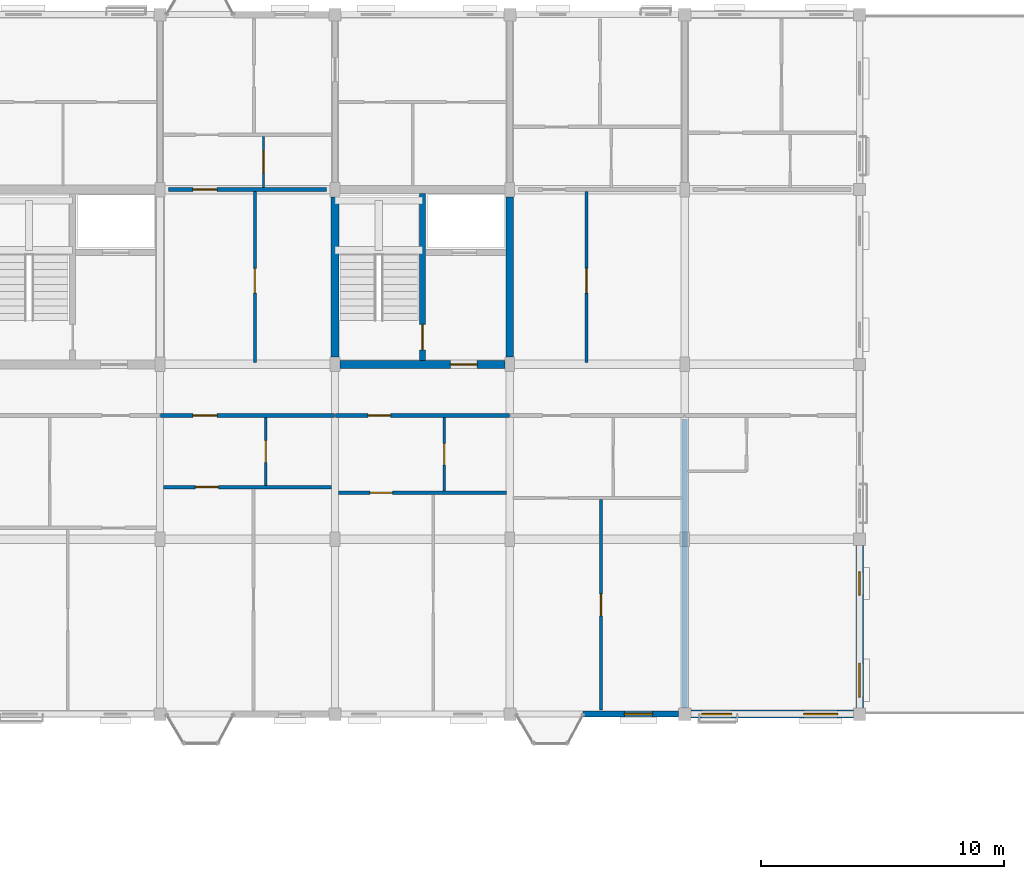
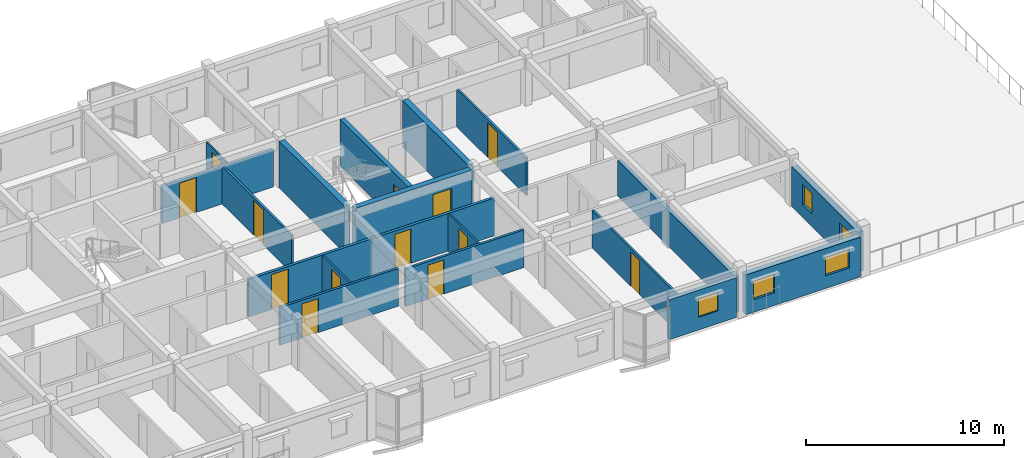
# One storey, part 54 of 64: 19 walls, 13 doors, 5 windows, 18 openings.
"""IFC4 building model written with IfcOpenShell, lengths in metres."""

from ifc_helpers import new_model, si_unit, direction, frame, frame_2d, origin, place, context, subcontext, project, spatial, rectangle, extrude, material, layer, layer_set, type_object, element, fill, save


model = new_model("IFC4")

# Units and contexts
model_context = context("Model", 3, precision=1e-05, world=origin(), true_north=direction((0.0, 1.0)))
body_context = subcontext(model_context, "Body", "Model", "MODEL_VIEW")
ifc_project = project(units=[si_unit("LENGTHUNIT", "METRE"), si_unit("AREAUNIT", "SQUARE_METRE"), si_unit("VOLUMEUNIT", "CUBIC_METRE"), si_unit("PLANEANGLEUNIT", "RADIAN"), si_unit("MASSUNIT", "GRAM", prefix="KILO"), si_unit("THERMODYNAMICTEMPERATUREUNIT", "KELVIN"), si_unit("POWERUNIT", "WATT")], contexts=[model_context])

# Site, building, storey
site_placement = place(None, origin())
site = spatial("IfcSite", under=ifc_project, at=site_placement, CompositionType="ELEMENT")
building_placement = place(site_placement, origin())
building = spatial("IfcBuilding", under=site, at=building_placement, Name="Tavuni Mirador Residences", CompositionType="ELEMENT")
storey_placement = place(building_placement, frame((0.0, 0.0, 26.550048828125)))
storey = spatial("IfcBuildingStorey", under=building, at=storey_placement, Name="L08", CompositionType="ELEMENT", Elevation=26.550048828125)

# Wall, opening, door
ifc_material_1 = material(Name="Precast concrete C40/50", Category="concrete")
ifc_layer_1 = layer(ifc_material_1, 0.25, Name="Precast concrete C40/50", Category="concrete")
ifc_layer_set_1 = layer_set([ifc_layer_1], Name="Precast concrete C40/50")
wall_type_1 = type_object("IfcWallType", Name="WT-COR250", PredefinedType="SHEAR", material=ifc_layer_set_1)
wall_1_placement = place(storey_placement, frame((43.199951171875, 158.56005859375, 0.0), z_axis=(0.0, 0.0, 1.0), x_axis=(0.0, 1.0, 0.0)))
wall_1 = element("IfcWall", 1, at=wall_1_placement, inside=storey, type_object=wall_type_1, Name="CWALL-C6-L08-MID", PredefinedType="SHEAR", context=body_context, shape_type="SweptSolid", body=[
    extrude(rectangle(XDim=6.8798828125, YDim=0.25, at=frame_2d((3.43994140625, 0.0))), origin(), (0.0, 0.0, 1.0), 2.885009765625),
])
opening_1_placement = place(wall_1_placement, frame((0.43994140625, 0.0, 0.0)))
opening_1 = element("IfcOpeningElement", 2, at=opening_1_placement, cuts=wall_1, Name="Opening D-01", PredefinedType="OPENING", context=body_context, shape_type="SweptSolid", body=[
    extrude(rectangle(XDim=1.050048828125, YDim=2.14990234375, at=frame_2d((0.52490234375, 1.074951171875))), frame((0.0, 0.135009765625, 0.0), z_axis=(0.0, -1.0, 0.0), x_axis=(1.0, 0.0, 0.0)), (0.0, 0.0, 1.0), 0.27001953125),
])
ifc_material_2 = material(Name="Solid core iroko timber", Category="wood")
door_type_1 = type_object("IfcDoorType", Name="DT-ST1050", OperationType="NOTDEFINED", PredefinedType="DOOR", material=ifc_material_2)
door_1_placement = place(opening_1_placement, origin())
door_1 = element("IfcDoor", 3, at=door_1_placement, inside=storey, type_object=door_type_1, Name="DR-2244", OperationType="SINGLE_SWING_RIGHT", OverallHeight=2.14990234375, OverallWidth=1.050048828125, PredefinedType="DOOR", context=body_context, shape_type="SweptSolid", body=[
    extrude(rectangle(XDim=1.050048828125, YDim=2.14990234375, at=frame_2d((0.52490234375, 1.074951171875))), frame((0.0, 0.02490234375, 0.0), z_axis=(0.0, -1.0, 0.0), x_axis=(1.0, 0.0, 0.0)), (0.0, 0.0, 1.0), 0.050048828125),
])
fill(opening_1, door_1)

# Walls
ifc_layer_2 = layer(ifc_material_1, 0.320068359375, Name="Precast concrete C40/50", Category="concrete")
ifc_layer_set_2 = layer_set([ifc_layer_2], Name="Precast concrete C40/50")
wall_type_2 = type_object("IfcWallType", Name="WT-COR320", PredefinedType="SHEAR", material=ifc_layer_set_2)
for number, where, z_axis, x_axis, name in (
    (4, (39.60009765625, 158.699951171875, 0.0), (0.0, 0.0, 1.0), (0.0, 1.0, 0.0), "CWALL-C6-L08-W"),
    (5, (46.800048828125, 158.699951171875, 0.0), (0.0, 0.0, 1.0), (0.0, 1.0, 0.0), "CWALL-C6-L08-E"),
):
    element("IfcWall", number, at=place(storey_placement, frame(where, z_axis=z_axis, x_axis=x_axis)), inside=storey, type_object=wall_type_2, Name=name, PredefinedType="SHEAR", context=body_context, shape_type="SweptSolid", body=[
        extrude(rectangle(XDim=6.60009765625, YDim=0.320068359375, at=frame_2d((3.300048828125, 0.0))), origin(), (0.0, 0.0, 1.0), 2.885009765625),
    ])

# Wall, opening, door
wall_2_placement = place(storey_placement, frame((39.800048828125, 158.39990234375, 0.0), z_axis=(0.0, 0.0, 1.0), x_axis=(1.0, 0.0, 0.0)))
wall_2 = element("IfcWall", 6, at=wall_2_placement, inside=storey, type_object=wall_type_2, Name="CWALL-C6-L08-SS", PredefinedType="SHEAR", context=body_context, shape_type="SweptSolid", body=[
    extrude(rectangle(XDim=6.800048828125, YDim=0.320068359375, at=frame_2d((3.39990234375, 0.0))), origin(), (0.0, 0.0, 1.0), 2.885009765625),
])
opening_2_placement = place(wall_2_placement, frame((4.550048828125, 0.0, 0.0)))
opening_2 = element("IfcOpeningElement", 7, at=opening_2_placement, cuts=wall_2, Name="Opening D-02", PredefinedType="OPENING", context=body_context, shape_type="SweptSolid", body=[
    extrude(rectangle(XDim=1.10009765625, YDim=2.14990234375, at=frame_2d((0.550048828125, 1.074951171875))), frame((0.0, 0.169921875, 0.0), z_axis=(0.0, -1.0, 0.0), x_axis=(1.0, 0.0, 0.0)), (0.0, 0.0, 1.0), 0.340087890625),
])
door_type_2 = type_object("IfcDoorType", Name="DT-LOB1100", OperationType="NOTDEFINED", PredefinedType="DOOR", material=ifc_material_2)
door_2_placement = place(opening_2_placement, frame((1.10009765625, 0.0, 0.0), z_axis=(0.0, 0.0, 1.0), x_axis=(-1.0, 0.0, 0.0)))
door_2 = element("IfcDoor", 8, at=door_2_placement, inside=storey, type_object=door_type_2, Name="DR-2243", OperationType="SINGLE_SWING_LEFT", OverallHeight=2.14990234375, OverallWidth=1.10009765625, PredefinedType="DOOR", context=body_context, shape_type="SweptSolid", body=[
    extrude(rectangle(XDim=1.10009765625, YDim=2.14990234375, at=frame_2d((0.550048828125, 1.074951171875))), frame((0.0, 0.02490234375, 0.0), z_axis=(0.0, -1.0, 0.0), x_axis=(1.0, 0.0, 0.0)), (0.0, 0.0, 1.0), 0.050048828125),
])
fill(opening_2, door_2)

ifc_layer_3 = layer(ifc_material_1, 0.1650390625, Name="Precast concrete C40/50", Category="concrete")
ifc_layer_set_3 = layer_set([ifc_layer_3], Name="Precast concrete C40/50")
wall_type_3 = type_object("IfcWallType", Name="WT-CORR165", PredefinedType="PARTITIONING", material=ifc_layer_set_3)
wall_3_placement = place(storey_placement, frame((32.419921875, 156.300048828125, 0.0), z_axis=(0.0, 0.0, 1.0), x_axis=(1.0, 0.0, 0.0)))
wall_3 = element("IfcWall", 9, at=wall_3_placement, inside=storey, type_object=wall_type_3, Name="CORW-BLK-C-L08-0-03", PredefinedType="PARTITIONING", context=body_context, shape_type="SweptSolid", body=[
    extrude(rectangle(XDim=7.16015625, YDim=0.1650390625, at=frame_2d((3.580078125, 0.0))), origin(), (0.0, 0.0, 1.0), 2.320068359375),
])
opening_3_placement = place(wall_3_placement, frame((1.330078125, 0.0, 0.0)))
opening_3 = element("IfcOpeningElement", 10, at=opening_3_placement, cuts=wall_3, Name="Opening D-03", PredefinedType="OPENING", context=body_context, shape_type="SweptSolid", body=[
    extrude(rectangle(XDim=1.0, YDim=2.14990234375, at=frame_2d((0.5, 1.074951171875))), frame((0.0, 0.092529296875, 0.0), z_axis=(0.0, -1.0, 0.0), x_axis=(1.0, 0.0, 0.0)), (0.0, 0.0, 1.0), 0.18505859375),
])
door_type_3 = type_object("IfcDoorType", Name="DT-FD60-1000", OperationType="NOTDEFINED", PredefinedType="DOOR", material=ifc_material_2)
door_3_placement = place(opening_3_placement, origin())
door_3 = element("IfcDoor", 11, at=door_3_placement, inside=storey, type_object=door_type_3, Name="DR-2742", OperationType="SINGLE_SWING_LEFT", OverallHeight=2.14990234375, OverallWidth=1.0, PredefinedType="DOOR", context=body_context, shape_type="SweptSolid", body=[
    extrude(rectangle(XDim=1.0, YDim=2.14990234375, at=frame_2d((0.5, 1.074951171875))), frame((0.0, 0.02490234375, 0.0), z_axis=(0.0, -1.0, 0.0), x_axis=(1.0, 0.0, 0.0)), (0.0, 0.0, 1.0), 0.050048828125),
])
fill(opening_3, door_3)

wall_4_placement = place(storey_placement, frame((39.6201171875, 156.300048828125, 0.0), z_axis=(0.0, 0.0, 1.0), x_axis=(1.0, 0.0, 0.0)))
wall_4 = element("IfcWall", 12, at=wall_4_placement, inside=storey, type_object=wall_type_3, Name="CORW-BLK-C-L08-0-04", PredefinedType="PARTITIONING", context=body_context, shape_type="SweptSolid", body=[
    extrude(rectangle(XDim=7.159912109375, YDim=0.1650390625, at=frame_2d((3.580078125, 0.0))), origin(), (0.0, 0.0, 1.0), 2.320068359375),
])
opening_4_placement = place(wall_4_placement, frame((1.330078125, 0.0, 0.0)))
opening_4 = element("IfcOpeningElement", 13, at=opening_4_placement, cuts=wall_4, Name="Opening D-19", PredefinedType="OPENING", context=body_context, shape_type="SweptSolid", body=[
    extrude(rectangle(XDim=0.93994140625, YDim=2.1201171875, at=frame_2d((0.469970703125, 1.06005859375))), frame((0.0, 0.092529296875, 0.0), z_axis=(0.0, -1.0, 0.0), x_axis=(1.0, 0.0, 0.0)), (0.0, 0.0, 1.0), 0.18505859375),
])
door_type_4 = type_object("IfcDoorType", Name="DT-FD60-940", OperationType="NOTDEFINED", PredefinedType="DOOR", material=ifc_material_2)
door_4_placement = place(opening_4_placement, origin())
door_4 = element("IfcDoor", 14, at=door_4_placement, inside=storey, type_object=door_type_4, Name="DR-2743", OperationType="SINGLE_SWING_RIGHT", OverallHeight=2.1201171875, OverallWidth=0.93994140625, PredefinedType="DOOR", context=body_context, shape_type="SweptSolid", body=[
    extrude(rectangle(XDim=0.93994140625, YDim=2.1201171875, at=frame_2d((0.469970703125, 1.06005859375))), frame((0.0, 0.02490234375, 0.0), z_axis=(0.0, -1.0, 0.0), x_axis=(1.0, 0.0, 0.0)), (0.0, 0.0, 1.0), 0.050048828125),
])
fill(opening_4, door_4)

wall_5_placement = place(storey_placement, frame((32.75, 165.60009765625, 0.0), z_axis=(0.0, 0.0, 1.0), x_axis=(1.0, 0.0, 0.0)))
wall_5 = element("IfcWall", 15, at=wall_5_placement, inside=storey, type_object=wall_type_3, Name="CORW-BLK-C-L08-1-03", PredefinedType="PARTITIONING", context=body_context, shape_type="SweptSolid", body=[
    extrude(rectangle(XDim=6.5, YDim=0.1650390625, at=frame_2d((3.25, 0.0))), origin(), (0.0, 0.0, 1.0), 2.320068359375),
])
opening_5_placement = place(wall_5_placement, frame((1.0, 0.0, 0.0)))
opening_5 = element("IfcOpeningElement", 16, at=opening_5_placement, cuts=wall_5, Name="Opening D-03", PredefinedType="OPENING", context=body_context, shape_type="SweptSolid", body=[
    extrude(rectangle(XDim=1.0, YDim=2.14990234375, at=frame_2d((0.5, 1.074951171875))), frame((0.0, 0.092529296875, 0.0), z_axis=(0.0, -1.0, 0.0), x_axis=(1.0, 0.0, 0.0)), (0.0, 0.0, 1.0), 0.18505859375),
])
door_5_placement = place(opening_5_placement, origin())
door_5 = element("IfcDoor", 17, at=door_5_placement, inside=storey, type_object=door_type_3, Name="DR-2748", OperationType="SINGLE_SWING_LEFT", OverallHeight=2.14990234375, OverallWidth=1.0, PredefinedType="DOOR", context=body_context, shape_type="SweptSolid", body=[
    extrude(rectangle(XDim=1.0, YDim=2.14990234375, at=frame_2d((0.5, 1.074951171875))), frame((0.0, 0.02490234375, 0.0), z_axis=(0.0, -1.0, 0.0), x_axis=(1.0, 0.0, 0.0)), (0.0, 0.0, 1.0), 0.050048828125),
])
fill(opening_5, door_5)

# Wall, openings, windows
ifc_layer_4 = layer(ifc_material_1, 0.330078125, Name="Precast concrete C40/50", Category="concrete")
ifc_layer_set_4 = layer_set([ifc_layer_4], Name="Precast concrete C40/50")
wall_type_4 = type_object("IfcWallType", Name="WT-EXT-COR330", PredefinedType="SOLIDWALL", material=ifc_layer_set_4)
wall_6_placement = place(storey_placement, frame((54.25, 144.0, 0.0), z_axis=(0.0, 0.0, 1.0), x_axis=(1.0, 0.0, 0.0)))
wall_6 = element("IfcWall", 18, at=wall_6_placement, inside=storey, type_object=wall_type_4, Name="EW-BLK-C-L08-S06", PredefinedType="SOLIDWALL", context=body_context, shape_type="SweptSolid", body=[
    extrude(rectangle(XDim=6.699951171875, YDim=0.330078125, at=frame_2d((3.35009765625, 0.0))), origin(), (0.0, 0.0, 1.0), 2.454833984375),
])
opening_6_placement = place(wall_6_placement, frame((0.449951171875, 0.0, 0.780029296875)))
opening_6 = element("IfcOpeningElement", 19, at=opening_6_placement, cuts=wall_6, Name="Opening WN-06", PredefinedType="OPENING", context=body_context, shape_type="SweptSolid", body=[
    extrude(rectangle(XDim=1.239990234375, YDim=1.14990234375, at=frame_2d((0.6201171875, 0.574951171875))), frame((0.0, 0.175048828125, 0.0), z_axis=(0.0, -1.0, 0.0), x_axis=(1.0, 0.0, 0.0)), (0.0, 0.0, 1.0), 0.35009765625),
])
opening_7_placement = place(wall_6_placement, frame((4.64990234375, 0.0, 0.780029296875)))
opening_7 = element("IfcOpeningElement", 20, at=opening_7_placement, cuts=wall_6, Name="Opening WN-08", PredefinedType="OPENING", context=body_context, shape_type="SweptSolid", body=[
    extrude(rectangle(XDim=1.39990234375, YDim=1.14990234375, at=frame_2d((0.699951171875, 0.574951171875))), frame((0.0, 0.175048828125, 0.0), z_axis=(0.0, -1.0, 0.0), x_axis=(1.0, 0.0, 0.0)), (0.0, 0.0, 1.0), 0.35009765625),
])
ifc_material_3 = material(Name="Laminated solar-control glass", Category="glass")
window_type_1 = type_object("IfcWindowType", Name="WNT-06", PartitioningType="SINGLE_PANEL", PredefinedType="WINDOW", material=ifc_material_3)
window_1_placement = place(opening_6_placement, origin())
window_1 = element("IfcWindow", 21, at=window_1_placement, inside=storey, type_object=window_type_1, Name="WIN-1197", OverallHeight=1.14990234375, OverallWidth=1.239990234375, PartitioningType="SINGLE_PANEL", PredefinedType="WINDOW", context=body_context, shape_type="SweptSolid", body=[
    extrude(rectangle(XDim=1.239990234375, YDim=1.14990234375, at=frame_2d((0.6201171875, 0.574951171875))), frame((0.0, 0.030029296875, 0.0), z_axis=(0.0, -1.0, 0.0), x_axis=(1.0, 0.0, 0.0)), (0.0, 0.0, 1.0), 0.06005859375),
])
fill(opening_6, window_1)
window_type_2 = type_object("IfcWindowType", Name="WNT-08", PartitioningType="SINGLE_PANEL", PredefinedType="WINDOW", material=ifc_material_3)
window_2_placement = place(opening_7_placement, origin())
window_2 = element("IfcWindow", 22, at=window_2_placement, inside=storey, type_object=window_type_2, Name="WIN-1198", OverallHeight=1.14990234375, OverallWidth=1.39990234375, PartitioningType="SINGLE_PANEL", PredefinedType="WINDOW", context=body_context, shape_type="SweptSolid", body=[
    extrude(rectangle(XDim=1.39990234375, YDim=1.14990234375, at=frame_2d((0.699951171875, 0.574951171875))), frame((0.0, 0.030029296875, 0.0), z_axis=(0.0, -1.0, 0.0), x_axis=(1.0, 0.0, 0.0)), (0.0, 0.0, 1.0), 0.06005859375),
])
fill(opening_7, window_2)

# Wall, opening, window
ifc_material_4 = material(Name="Sgraffito lime-rendered precast concrete C40/50", Category="concrete")
ifc_layer_5 = layer(ifc_material_4, 0.2451171875, Name="Sgraffito lime-rendered precast concrete C40/50", Category="concrete")
ifc_layer_set_5 = layer_set([ifc_layer_5], Name="Sgraffito lime-rendered precast concrete C40/50")
wall_type_5 = type_object("IfcWallType", Name="WT-EXT-PC245", PredefinedType="SOLIDWALL", material=ifc_layer_set_5)
wall_7_placement = place(storey_placement, frame((49.820068359375, 144.0, 0.0), z_axis=(0.0, 0.0, 1.0), x_axis=(1.0, 0.0, 0.0)))
wall_7 = element("IfcWall", 23, at=wall_7_placement, inside=storey, type_object=wall_type_5, Name="EW-BLK-C-L08-S05", PredefinedType="SOLIDWALL", context=body_context, shape_type="SweptSolid", body=[
    extrude(rectangle(XDim=3.929931640625, YDim=0.2451171875, at=frame_2d((1.96484375, 0.0))), origin(), (0.0, 0.0, 1.0), 2.454833984375),
])
opening_8_placement = place(wall_7_placement, frame((1.695068359375, 0.0, 0.780029296875)))
opening_8 = element("IfcOpeningElement", 24, at=opening_8_placement, cuts=wall_7, Name="Opening WN-05", PredefinedType="OPENING", context=body_context, shape_type="SweptSolid", body=[
    extrude(rectangle(XDim=1.159912109375, YDim=1.14990234375, at=frame_2d((0.580078125, 0.574951171875))), frame((0.0, 0.132568359375, 0.0), z_axis=(0.0, -1.0, 0.0), x_axis=(1.0, 0.0, 0.0)), (0.0, 0.0, 1.0), 0.26513671875),
])
window_type_3 = type_object("IfcWindowType", Name="WNT-05", PartitioningType="SINGLE_PANEL", PredefinedType="WINDOW", material=ifc_material_3)
window_3_placement = place(opening_8_placement, origin())
window_3 = element("IfcWindow", 25, at=window_3_placement, inside=storey, type_object=window_type_3, Name="WIN-1196", OverallHeight=1.14990234375, OverallWidth=1.159912109375, PartitioningType="SINGLE_PANEL", PredefinedType="WINDOW", context=body_context, shape_type="SweptSolid", body=[
    extrude(rectangle(XDim=1.159912109375, YDim=1.14990234375, at=frame_2d((0.580078125, 0.574951171875))), frame((0.0, 0.030029296875, 0.0), z_axis=(0.0, -1.0, 0.0), x_axis=(1.0, 0.0, 0.0)), (0.0, 0.0, 1.0), 0.06005859375),
])
fill(opening_8, window_3)

# Wall, openings, windows
ifc_layer_6 = layer(ifc_material_4, 0.31494140625, Name="Sgraffito lime-rendered precast concrete C40/50", Category="concrete")
ifc_layer_set_6 = layer_set([ifc_layer_6], Name="Sgraffito lime-rendered precast concrete C40/50")
wall_type_6 = type_object("IfcWallType", Name="WT-EXT-PC315", PredefinedType="SOLIDWALL", material=ifc_layer_set_6)
wall_8_placement = place(storey_placement, frame((61.199951171875, 144.25, 0.0), z_axis=(0.0, 0.0, 1.0), x_axis=(0.0, 1.0, 0.0)))
wall_8 = element("IfcWall", 26, at=wall_8_placement, inside=storey, type_object=wall_type_6, Name="EW-BLK-C-L08-E00", PredefinedType="SOLIDWALL", context=body_context, shape_type="SweptSolid", body=[
    extrude(rectangle(XDim=6.699951171875, YDim=0.31494140625, at=frame_2d((3.35009765625, 0.0))), origin(), (0.0, 0.0, 1.0), 2.454833984375),
])
opening_9_placement = place(wall_8_placement, frame((0.449951171875, 0.0, 0.780029296875)))
opening_9 = element("IfcOpeningElement", 27, at=opening_9_placement, cuts=wall_8, Name="Opening WN-08", PredefinedType="OPENING", context=body_context, shape_type="SweptSolid", body=[
    extrude(rectangle(XDim=1.39990234375, YDim=1.14990234375, at=frame_2d((0.699951171875, 0.574951171875))), frame((0.0, 0.16748046875, 0.0), z_axis=(0.0, -1.0, 0.0), x_axis=(1.0, 0.0, 0.0)), (0.0, 0.0, 1.0), 0.3349609375),
])
opening_10_placement = place(wall_8_placement, frame((4.64990234375, 0.0, 0.780029296875)))
opening_10 = element("IfcOpeningElement", 28, at=opening_10_placement, cuts=wall_8, Name="Opening WN-10", PredefinedType="OPENING", context=body_context, shape_type="SweptSolid", body=[
    extrude(rectangle(XDim=0.9599609375, YDim=1.260009765625, at=frame_2d((0.47998046875, 0.6298828125))), frame((0.0, 0.16748046875, 0.0), z_axis=(0.0, -1.0, 0.0), x_axis=(1.0, 0.0, 0.0)), (0.0, 0.0, 1.0), 0.3349609375),
])
window_4_placement = place(opening_9_placement, origin())
window_4 = element("IfcWindow", 29, at=window_4_placement, inside=storey, type_object=window_type_2, Name="WIN-1199", OverallHeight=1.14990234375, OverallWidth=1.39990234375, PartitioningType="SINGLE_PANEL", PredefinedType="WINDOW", context=body_context, shape_type="SweptSolid", body=[
    extrude(rectangle(XDim=1.39990234375, YDim=1.14990234375, at=frame_2d((0.699951171875, 0.574951171875))), frame((0.0, 0.030029296875, 0.0), z_axis=(0.0, -1.0, 0.0), x_axis=(1.0, 0.0, 0.0)), (0.0, 0.0, 1.0), 0.06005859375),
])
fill(opening_9, window_4)
window_type_4 = type_object("IfcWindowType", Name="WNT-10", PartitioningType="SINGLE_PANEL", PredefinedType="WINDOW", material=ifc_material_3)
window_5_placement = place(opening_10_placement, origin())
window_5 = element("IfcWindow", 30, at=window_5_placement, inside=storey, type_object=window_type_4, Name="WIN-1200", OverallHeight=1.260009765625, OverallWidth=0.9599609375, PartitioningType="SINGLE_PANEL", PredefinedType="WINDOW", context=body_context, shape_type="SweptSolid", body=[
    extrude(rectangle(XDim=0.9599609375, YDim=1.260009765625, at=frame_2d((0.47998046875, 0.6298828125))), frame((0.0, 0.030029296875, 0.0), z_axis=(0.0, -1.0, 0.0), x_axis=(1.0, 0.0, 0.0)), (0.0, 0.0, 1.0), 0.06005859375),
])
fill(opening_10, window_5)

# Wall, opening, door
ifc_material_5 = material(Name="Acoustic gypsum and concrete block partition", Category="concrete")
ifc_layer_7 = layer(ifc_material_5, 0.094970703125, Name="Acoustic gypsum and concrete block partition", Category="concrete")
ifc_layer_set_7 = layer_set([ifc_layer_7], Name="Acoustic gypsum and concrete block partition")
wall_type_7 = type_object("IfcWallType", Name="WT-PART095", PredefinedType="PARTITIONING", material=ifc_layer_set_7)
wall_9_placement = place(storey_placement, frame((36.659912109375, 165.68994140625, 0.0), z_axis=(0.0, 0.0, 1.0), x_axis=(0.0, 1.0, 0.0)))
wall_9 = element("IfcWall", 31, at=wall_9_placement, inside=storey, type_object=wall_type_7, Name="PW-BLK-C-L08-N03-IN1", PredefinedType="PARTITIONING", context=body_context, shape_type="SweptSolid", body=[
    extrude(rectangle(XDim=2.10009765625, YDim=0.094970703125, at=frame_2d((1.050048828125, 0.0))), origin(), (0.0, 0.0, 1.0), 2.320068359375),
])
opening_11_placement = place(wall_9_placement, frame((0.60009765625, 0.0, 0.0)))
opening_11 = element("IfcOpeningElement", 32, at=opening_11_placement, cuts=wall_9, Name="Opening D-09", PredefinedType="OPENING", context=body_context, shape_type="SweptSolid", body=[
    extrude(rectangle(XDim=0.89990234375, YDim=2.050048828125, at=frame_2d((0.449951171875, 1.02490234375))), frame((0.0, 0.0576171875, 0.0), z_axis=(0.0, -1.0, 0.0), x_axis=(1.0, 0.0, 0.0)), (0.0, 0.0, 1.0), 0.114990234375),
])
door_type_5 = type_object("IfcDoorType", Name="DT-WC900", OperationType="NOTDEFINED", PredefinedType="DOOR", material=ifc_material_2)
door_6_placement = place(opening_11_placement, origin())
door_6 = element("IfcDoor", 33, at=door_6_placement, inside=storey, type_object=door_type_5, Name="DR-4095", OperationType="SINGLE_SWING_LEFT", OverallHeight=2.050048828125, OverallWidth=0.89990234375, PredefinedType="DOOR", context=body_context, shape_type="SweptSolid", body=[
    extrude(rectangle(XDim=0.89990234375, YDim=2.050048828125, at=frame_2d((0.449951171875, 1.02490234375))), frame((0.0, 0.02490234375, 0.0), z_axis=(0.0, -1.0, 0.0), x_axis=(1.0, 0.0, 0.0)), (0.0, 0.0, 1.0), 0.050048828125),
])
fill(opening_11, door_6)

ifc_layer_8 = layer(ifc_material_5, 0.10498046875, Name="Acoustic gypsum and concrete block partition", Category="concrete")
ifc_layer_set_8 = layer_set([ifc_layer_8], Name="Acoustic gypsum and concrete block partition")
wall_type_8 = type_object("IfcWallType", Name="WT-PART105", PredefinedType="PARTITIONING", material=ifc_layer_set_8)
wall_10_placement = place(storey_placement, frame((36.75, 153.419921875, 0.0), z_axis=(0.0, 0.0, 1.0), x_axis=(0.0, 1.0, 0.0)))
wall_10 = element("IfcWall", 34, at=wall_10_placement, inside=storey, type_object=wall_type_8, Name="PW-BLK-C-L08-S03-IN1", PredefinedType="PARTITIONING", context=body_context, shape_type="SweptSolid", body=[
    extrude(rectangle(XDim=2.7900390625, YDim=0.10498046875, at=frame_2d((1.39501953125, 0.0))), origin(), (0.0, 0.0, 1.0), 2.320068359375),
])
opening_12_placement = place(wall_10_placement, frame((0.945068359375, 0.0, 0.0)))
opening_12 = element("IfcOpeningElement", 35, at=opening_12_placement, cuts=wall_10, Name="Opening D-09", PredefinedType="OPENING", context=body_context, shape_type="SweptSolid", body=[
    extrude(rectangle(XDim=0.89990234375, YDim=2.050048828125, at=frame_2d((0.449951171875, 1.02490234375))), frame((0.0, 0.0625, 0.0), z_axis=(0.0, -1.0, 0.0), x_axis=(1.0, 0.0, 0.0)), (0.0, 0.0, 1.0), 0.125),
])
door_7_placement = place(opening_12_placement, origin())
door_7 = element("IfcDoor", 36, at=door_7_placement, inside=storey, type_object=door_type_5, Name="DR-4092", OperationType="SINGLE_SWING_LEFT", OverallHeight=2.050048828125, OverallWidth=0.89990234375, PredefinedType="DOOR", context=body_context, shape_type="SweptSolid", body=[
    extrude(rectangle(XDim=0.89990234375, YDim=2.050048828125, at=frame_2d((0.449951171875, 1.02490234375))), frame((0.0, 0.02490234375, 0.0), z_axis=(0.0, -1.0, 0.0), x_axis=(1.0, 0.0, 0.0)), (0.0, 0.0, 1.0), 0.050048828125),
])
fill(opening_12, door_7)

wall_11_placement = place(storey_placement, frame((44.10009765625, 153.18994140625, 0.0), z_axis=(0.0, 0.0, 1.0), x_axis=(0.0, 1.0, 0.0)))
wall_11 = element("IfcWall", 37, at=wall_11_placement, inside=storey, type_object=wall_type_8, Name="PW-BLK-C-L08-S04-IN1", PredefinedType="PARTITIONING", context=body_context, shape_type="SweptSolid", body=[
    extrude(rectangle(XDim=3.02001953125, YDim=0.10498046875, at=frame_2d((1.510009765625, 0.0))), origin(), (0.0, 0.0, 1.0), 2.320068359375),
])
opening_13_placement = place(wall_11_placement, frame((1.074951171875, 0.0, 0.0)))
opening_13 = element("IfcOpeningElement", 38, at=opening_13_placement, cuts=wall_11, Name="Opening D-10", PredefinedType="OPENING", context=body_context, shape_type="SweptSolid", body=[
    extrude(rectangle(XDim=0.8701171875, YDim=2.050048828125, at=frame_2d((0.43505859375, 1.02490234375))), frame((0.0, 0.0625, 0.0), z_axis=(0.0, -1.0, 0.0), x_axis=(1.0, 0.0, 0.0)), (0.0, 0.0, 1.0), 0.125),
])
door_type_6 = type_object("IfcDoorType", Name="DT-WC870", OperationType="NOTDEFINED", PredefinedType="DOOR", material=ifc_material_2)
door_8_placement = place(opening_13_placement, origin())
door_8 = element("IfcDoor", 39, at=door_8_placement, inside=storey, type_object=door_type_6, Name="DR-4098", OperationType="SINGLE_SWING_RIGHT", OverallHeight=2.050048828125, OverallWidth=0.8701171875, PredefinedType="DOOR", context=body_context, shape_type="SweptSolid", body=[
    extrude(rectangle(XDim=0.8701171875, YDim=2.050048828125, at=frame_2d((0.43505859375, 1.02490234375))), frame((0.0, 0.02490234375, 0.0), z_axis=(0.0, -1.0, 0.0), x_axis=(1.0, 0.0, 0.0)), (0.0, 0.0, 1.0), 0.050048828125),
])
fill(opening_13, door_8)

ifc_layer_9 = layer(ifc_material_5, 0.114990234375, Name="Acoustic gypsum and concrete block partition", Category="concrete")
ifc_layer_set_9 = layer_set([ifc_layer_9], Name="Acoustic gypsum and concrete block partition")
wall_type_9 = type_object("IfcWallType", Name="WT-PART115", PredefinedType="PARTITIONING", material=ifc_layer_set_9)
wall_12_placement = place(storey_placement, frame((50.550048828125, 144.175048828125, 0.0), z_axis=(0.0, 0.0, 1.0), x_axis=(0.0, 1.0, 0.0)))
wall_12 = element("IfcWall", 40, at=wall_12_placement, inside=storey, type_object=wall_type_9, Name="PW-BLK-C-L08-S05-OUT", PredefinedType="PARTITIONING", context=body_context, shape_type="SweptSolid", body=[
    extrude(rectangle(XDim=8.655029296875, YDim=0.114990234375, at=frame_2d((4.32763671875, 0.0))), origin(), (0.0, 0.0, 1.0), 2.320068359375),
])
opening_14_placement = place(wall_12_placement, frame((3.87744140625, 0.0, 0.0)))
opening_14 = element("IfcOpeningElement", 41, at=opening_14_placement, cuts=wall_12, Name="Opening D-07", PredefinedType="OPENING", context=body_context, shape_type="SweptSolid", body=[
    extrude(rectangle(XDim=0.89990234375, YDim=2.10009765625, at=frame_2d((0.449951171875, 1.050048828125))), frame((0.0, 0.0673828125, 0.0), z_axis=(0.0, -1.0, 0.0), x_axis=(1.0, 0.0, 0.0)), (0.0, 0.0, 1.0), 0.135009765625),
])
door_type_7 = type_object("IfcDoorType", Name="DT-BED900", OperationType="NOTDEFINED", PredefinedType="DOOR", material=ifc_material_2)
door_9_placement = place(opening_14_placement, origin())
door_9 = element("IfcDoor", 42, at=door_9_placement, inside=storey, type_object=door_type_7, Name="DR-4103", OperationType="SINGLE_SWING_RIGHT", OverallHeight=2.10009765625, OverallWidth=0.89990234375, PredefinedType="DOOR", context=body_context, shape_type="SweptSolid", body=[
    extrude(rectangle(XDim=0.89990234375, YDim=2.10009765625, at=frame_2d((0.449951171875, 1.050048828125))), frame((0.0, 0.02490234375, 0.0), z_axis=(0.0, -1.0, 0.0), x_axis=(1.0, 0.0, 0.0)), (0.0, 0.0, 1.0), 0.050048828125),
])
fill(opening_14, door_9)

ifc_layer_10 = layer(ifc_material_5, 0.125, Name="Acoustic gypsum and concrete block partition", Category="concrete")
ifc_layer_set_10 = layer_set([ifc_layer_10], Name="Acoustic gypsum and concrete block partition")
wall_type_10 = type_object("IfcWallType", Name="WT-PART125", PredefinedType="PARTITIONING", material=ifc_layer_set_10)
wall_13_placement = place(storey_placement, frame((36.300048828125, 158.489990234375, 0.0), z_axis=(0.0, 0.0, 1.0), x_axis=(0.0, 1.0, 0.0)))
wall_13 = element("IfcWall", 43, at=wall_13_placement, inside=storey, type_object=wall_type_10, Name="PW-SPN-BLK-C-L08-03", PredefinedType="PARTITIONING", context=body_context, shape_type="SweptSolid", body=[
    extrude(rectangle(XDim=7.02001953125, YDim=0.125, at=frame_2d((3.510009765625, 0.0))), origin(), (0.0, 0.0, 1.0), 2.320068359375),
])
opening_15_placement = place(wall_13_placement, frame((2.85009765625, 0.0, 0.0)))
opening_15 = element("IfcOpeningElement", 44, at=opening_15_placement, cuts=wall_13, Name="Opening D-13", PredefinedType="OPENING", context=body_context, shape_type="SweptSolid", body=[
    extrude(rectangle(XDim=1.02001953125, YDim=2.14990234375, at=frame_2d((0.510009765625, 1.074951171875))), frame((0.0, 0.072509765625, 0.0), z_axis=(0.0, -1.0, 0.0), x_axis=(1.0, 0.0, 0.0)), (0.0, 0.0, 1.0), 0.14501953125),
])
door_type_8 = type_object("IfcDoorType", Name="DT-MTG1020", OperationType="NOTDEFINED", PredefinedType="DOOR", material=ifc_material_2)
door_10_placement = place(opening_15_placement, origin())
door_10 = element("IfcDoor", 45, at=door_10_placement, inside=storey, type_object=door_type_8, Name="DR-4090", OperationType="SINGLE_SWING_RIGHT", OverallHeight=2.14990234375, OverallWidth=1.02001953125, PredefinedType="DOOR", context=body_context, shape_type="SweptSolid", body=[
    extrude(rectangle(XDim=1.02001953125, YDim=2.14990234375, at=frame_2d((0.510009765625, 1.074951171875))), frame((0.0, 0.02490234375, 0.0), z_axis=(0.0, -1.0, 0.0), x_axis=(1.0, 0.0, 0.0)), (0.0, 0.0, 1.0), 0.050048828125),
])
fill(opening_15, door_10)

wall_14_placement = place(storey_placement, frame((49.9599609375, 158.489990234375, 0.0), z_axis=(0.0, 0.0, 1.0), x_axis=(0.0, 1.0, 0.0)))
wall_14 = element("IfcWall", 46, at=wall_14_placement, inside=storey, type_object=wall_type_10, Name="PW-SPN-BLK-C-L08-05", PredefinedType="PARTITIONING", context=body_context, shape_type="SweptSolid", body=[
    extrude(rectangle(XDim=7.02001953125, YDim=0.125, at=frame_2d((3.510009765625, 0.0))), origin(), (0.0, 0.0, 1.0), 2.320068359375),
])
opening_16_placement = place(wall_14_placement, frame((2.85009765625, 0.0, 0.0)))
opening_16 = element("IfcOpeningElement", 47, at=opening_16_placement, cuts=wall_14, Name="Opening D-13", PredefinedType="OPENING", context=body_context, shape_type="SweptSolid", body=[
    extrude(rectangle(XDim=1.02001953125, YDim=2.14990234375, at=frame_2d((0.510009765625, 1.074951171875))), frame((0.0, 0.072509765625, 0.0), z_axis=(0.0, -1.0, 0.0), x_axis=(1.0, 0.0, 0.0)), (0.0, 0.0, 1.0), 0.14501953125),
])
door_11_placement = place(opening_16_placement, origin())
door_11 = element("IfcDoor", 48, at=door_11_placement, inside=storey, type_object=door_type_8, Name="DR-4102", OperationType="SINGLE_SWING_RIGHT", OverallHeight=2.14990234375, OverallWidth=1.02001953125, PredefinedType="DOOR", context=body_context, shape_type="SweptSolid", body=[
    extrude(rectangle(XDim=1.02001953125, YDim=2.14990234375, at=frame_2d((0.510009765625, 1.074951171875))), frame((0.0, 0.02490234375, 0.0), z_axis=(0.0, -1.0, 0.0), x_axis=(1.0, 0.0, 0.0)), (0.0, 0.0, 1.0), 0.050048828125),
])
fill(opening_16, door_11)

ifc_layer_11 = layer(ifc_material_5, 0.139892578125, Name="Acoustic gypsum and concrete block partition", Category="concrete")
ifc_layer_set_11 = layer_set([ifc_layer_11], Name="Acoustic gypsum and concrete block partition")
wall_type_11 = type_object("IfcWallType", Name="WT-PART140", PredefinedType="PARTITIONING", material=ifc_layer_set_11)
wall_15_placement = place(storey_placement, frame((32.5400390625, 153.35009765625, 0.0), z_axis=(0.0, 0.0, 1.0), x_axis=(1.0, 0.0, 0.0)))
wall_15 = element("IfcWall", 49, at=wall_15_placement, inside=storey, type_object=wall_type_11, Name="PW-BLK-C-L08-S03-MID", PredefinedType="PARTITIONING", context=body_context, shape_type="SweptSolid", body=[
    extrude(rectangle(XDim=6.919921875, YDim=0.139892578125, at=frame_2d((3.4599609375, 0.0))), origin(), (0.0, 0.0, 1.0), 2.320068359375),
])
opening_17_placement = place(wall_15_placement, frame((1.31005859375, 0.0, 0.0)))
opening_17 = element("IfcOpeningElement", 50, at=opening_17_placement, cuts=wall_15, Name="Opening D-05", PredefinedType="OPENING", context=body_context, shape_type="SweptSolid", body=[
    extrude(rectangle(XDim=0.949951171875, YDim=2.10009765625, at=frame_2d((0.47509765625, 1.050048828125))), frame((0.0, 0.080078125, 0.0), z_axis=(0.0, -1.0, 0.0), x_axis=(1.0, 0.0, 0.0)), (0.0, 0.0, 1.0), 0.159912109375),
])
door_type_9 = type_object("IfcDoorType", Name="DT-INT950", OperationType="NOTDEFINED", PredefinedType="DOOR", material=ifc_material_2)
door_12_placement = place(opening_17_placement, origin())
door_12 = element("IfcDoor", 51, at=door_12_placement, inside=storey, type_object=door_type_9, Name="DR-4093", OperationType="SINGLE_SWING_LEFT", OverallHeight=2.10009765625, OverallWidth=0.949951171875, PredefinedType="DOOR", context=body_context, shape_type="SweptSolid", body=[
    extrude(rectangle(XDim=0.949951171875, YDim=2.10009765625, at=frame_2d((0.47509765625, 1.050048828125))), frame((0.0, 0.02490234375, 0.0), z_axis=(0.0, -1.0, 0.0), x_axis=(1.0, 0.0, 0.0)), (0.0, 0.0, 1.0), 0.050048828125),
])
fill(opening_17, door_12)

wall_16_placement = place(storey_placement, frame((39.739990234375, 153.1201171875, 0.0), z_axis=(0.0, 0.0, 1.0), x_axis=(1.0, 0.0, 0.0)))
wall_16 = element("IfcWall", 52, at=wall_16_placement, inside=storey, type_object=wall_type_11, Name="PW-BLK-C-L08-S04-MID", PredefinedType="PARTITIONING", context=body_context, shape_type="SweptSolid", body=[
    extrude(rectangle(XDim=6.919921875, YDim=0.139892578125, at=frame_2d((3.4599609375, 0.0))), origin(), (0.0, 0.0, 1.0), 2.320068359375),
])
opening_18_placement = place(wall_16_placement, frame((1.31005859375, 0.0, 0.0)))
opening_18 = element("IfcOpeningElement", 53, at=opening_18_placement, cuts=wall_16, Name="Opening D-06", PredefinedType="OPENING", context=body_context, shape_type="SweptSolid", body=[
    extrude(rectangle(XDim=0.919921875, YDim=2.10009765625, at=frame_2d((0.4599609375, 1.050048828125))), frame((0.0, 0.080078125, 0.0), z_axis=(0.0, -1.0, 0.0), x_axis=(1.0, 0.0, 0.0)), (0.0, 0.0, 1.0), 0.159912109375),
])
door_type_10 = type_object("IfcDoorType", Name="DT-INT920", OperationType="NOTDEFINED", PredefinedType="DOOR", material=ifc_material_2)
door_13_placement = place(opening_18_placement, origin())
door_13 = element("IfcDoor", 54, at=door_13_placement, inside=storey, type_object=door_type_10, Name="DR-4099", OperationType="SINGLE_SWING_RIGHT", OverallHeight=2.10009765625, OverallWidth=0.919921875, PredefinedType="DOOR", context=body_context, shape_type="SweptSolid", body=[
    extrude(rectangle(XDim=0.919921875, YDim=2.10009765625, at=frame_2d((0.4599609375, 1.050048828125))), frame((0.0, 0.02490234375, 0.0), z_axis=(0.0, -1.0, 0.0), x_axis=(1.0, 0.0, 0.0)), (0.0, 0.0, 1.0), 0.050048828125),
])
fill(opening_18, door_13)

# Wall
ifc_layer_12 = layer(ifc_material_1, 0.215087890625, Name="Precast concrete C40/50", Category="concrete")
ifc_layer_set_12 = layer_set([ifc_layer_12], Name="Precast concrete C40/50")
wall_type_12 = type_object("IfcWallType", Name="WT-XW215", PredefinedType="SOLIDWALL", material=ifc_layer_set_12)
wall_17_placement = place(storey_placement, frame((54.0, 144.25, 0.0), z_axis=(0.0, 0.0, 1.0), x_axis=(0.0, 1.0, 0.0)))
element("IfcWall", 55, at=wall_17_placement, inside=storey, type_object=wall_type_12, Name="XW-BLK-C-L08-S-06", PredefinedType="SOLIDWALL", context=body_context, shape_type="SweptSolid", body=[
    extrude(rectangle(XDim=11.89990234375, YDim=0.215087890625, at=frame_2d((5.949951171875, 0.0))), origin(), (0.0, 0.0, 1.0), 2.18505859375),
])

save(model, "model.ifc")
